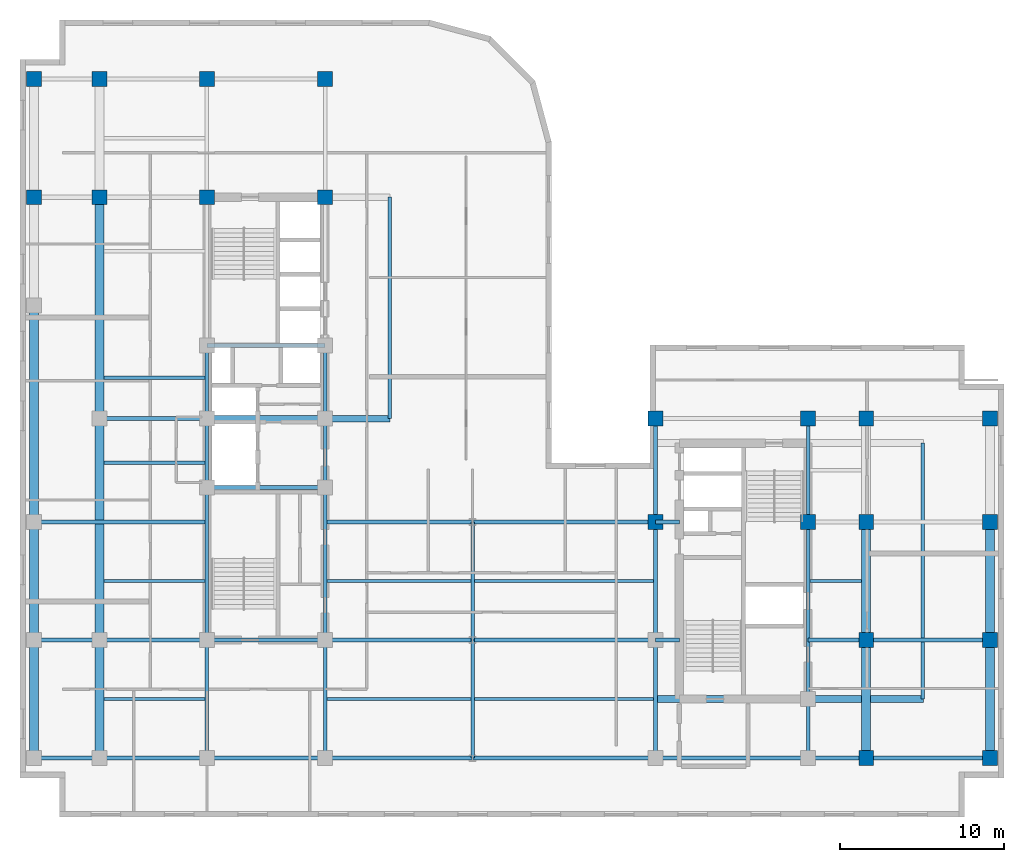
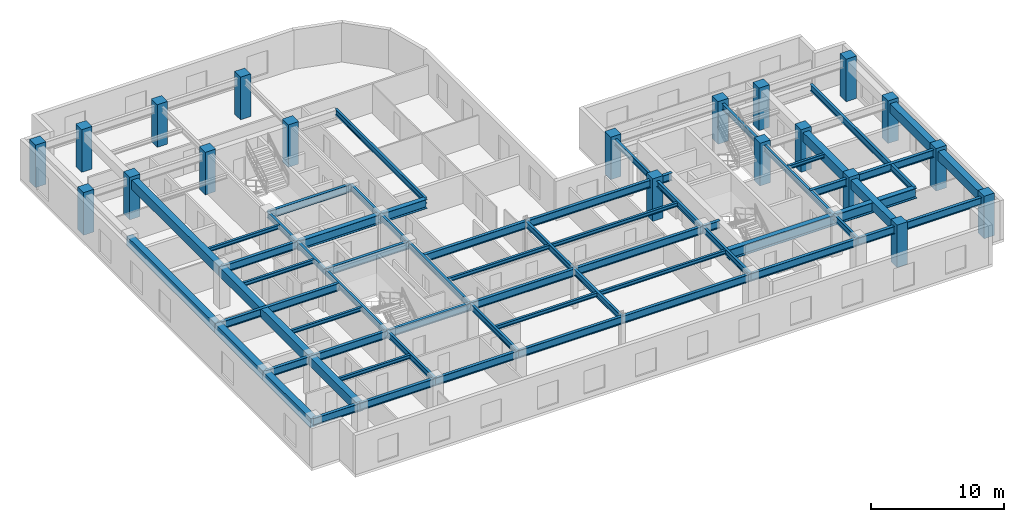
# One storey, part 2 of 11: 62 beams, 20 columns.
"""IFC4 building model written with IfcOpenShell, lengths in metres."""

from ifc_helpers import new_model, entity, si_unit, converted_unit, direction, frame, origin_with_axes, origin_2d_with_axis, place, context, subcontext, project, spatial, rectangle, i_section, extrude, material, material_profile, profile_set, type_object, element, save


model = new_model("IFC4")

# Units and contexts
model_context = context("Model", 3, precision=1e-05, world=origin_with_axes(), true_north=direction((0.0, 1.0)))
body_context = subcontext(model_context, "Body", "Model", "MODEL_VIEW")
ifc_project = project(units=[si_unit("LENGTHUNIT", "METRE"), si_unit("AREAUNIT", "SQUARE_METRE"), si_unit("VOLUMEUNIT", "CUBIC_METRE"), converted_unit("PLANEANGLEUNIT", "DEGREE", entity("IfcPlaneAngleMeasure", 0.017453292519943295), si_unit("PLANEANGLEUNIT", "RADIAN"), dimensions=[0, 0, 0, 0, 0, 0, 0]), si_unit("MASSUNIT", "GRAM", prefix="KILO"), si_unit("THERMODYNAMICTEMPERATUREUNIT", "KELVIN")], contexts=[model_context])

# Site, building, storey
site_placement = place(None, origin_with_axes())
site = spatial("IfcSite", under=ifc_project, at=site_placement, CompositionType="ELEMENT")
building_placement = place(site_placement, origin_with_axes())
building = spatial("IfcBuilding", under=site, at=building_placement, Name="Varnlund Millrace Tower", CompositionType="ELEMENT")
storey_placement = place(building_placement, frame((0.0, 0.0, 216.0), z_axis=(0.0, 0.0, 1.0), x_axis=(1.0, 0.0, 0.0)))
storey = spatial("IfcBuildingStorey", under=building, at=storey_placement, Name="L53", CompositionType="ELEMENT", Elevation=216.0)

# Columns
ifc_material_1 = material(Name="Concrete C70/85", Category="concrete")
ifc_material_profile_1 = material_profile(ifc_material_1, rectangle(XDim=0.9, YDim=0.9, at=origin_2d_with_axis()), Name="Concrete C70/85")
ifc_profile_set_1 = profile_set([ifc_material_profile_1], Name="Concrete C70/85")
column_type = type_object("IfcColumnType", Name="Type-Col-RC900-C70", PredefinedType="COLUMN", material=ifc_profile_set_1)
for number, where, z_axis, x_axis, name in (
    (1, (11.4, 37.8, 0.0), (0.0, 0.0, 1.0), (1.0, 0.0, 0.0), "Type-Col-RC900-C70"),
    (2, (11.4, 45.0, 0.0), (0.0, 0.0, 1.0), (1.0, 0.0, 0.0), "Type-Col-RC900-C70"),
    (3, (18.6, 37.8, 0.0), (0.0, 0.0, 1.0), (1.0, 0.0, 0.0), "Type-Col-RC900-C70"),
    (4, (18.6, 45.0, 0.0), (0.0, 0.0, 1.0), (1.0, 0.0, 0.0), "Type-Col-RC900-C70"),
    (5, (4.85, 37.8, 0.0), (0.0, 0.0, 1.0), (1.0, 0.0, 0.0), "Type-Col-RC900-C70"),
    (6, (4.85, 45.0, 0.0), (0.0, 0.0, 1.0), (1.0, 0.0, 0.0), "Type-Col-RC900-C70"),
    (7, (0.85, 37.8, 0.0), (0.0, 0.0, 1.0), (1.0, 0.0, 0.0), "Type-Col-RC900-C70"),
    (8, (0.85, 45.0, 0.0), (0.0, 0.0, 1.0), (1.0, 0.0, 0.0), "Type-Col-RC900-C70"),
    (9, (38.75, 18.0, 0.0), (0.0, 0.0, 1.0), (1.0, 0.0, 0.0), "Type-Col-RC900-C70"),
    (10, (38.75, 24.3, 0.0), (0.0, 0.0, 1.0), (1.0, 0.0, 0.0), "Type-Col-RC900-C70"),
    (11, (48.05, 18.0, 0.0), (0.0, 0.0, 1.0), (1.0, 0.0, 0.0), "Type-Col-RC900-C70"),
    (12, (48.05, 24.3, 0.0), (0.0, 0.0, 1.0), (1.0, 0.0, 0.0), "Type-Col-RC900-C70"),
    (13, (51.6, 3.6, 0.0), (0.0, 0.0, 1.0), (1.0, 0.0, 0.0), "Type-Col-RC900-C70"),
    (14, (51.6, 10.8, 0.0), (0.0, 0.0, 1.0), (1.0, 0.0, 0.0), "Type-Col-RC900-C70"),
    (15, (51.6, 18.0, 0.0), (0.0, 0.0, 1.0), (1.0, 0.0, 0.0), "Type-Col-RC900-C70"),
    (16, (51.6, 24.3, 0.0), (0.0, 0.0, 1.0), (1.0, 0.0, 0.0), "Type-Col-RC900-C70"),
    (17, (59.15, 3.6, 0.0), (0.0, 0.0, 1.0), (1.0, 0.0, 0.0), "Type-Col-RC900-C70"),
    (18, (59.15, 10.8, 0.0), (0.0, 0.0, 1.0), (1.0, 0.0, 0.0), "Type-Col-RC900-C70"),
    (19, (59.15, 18.0, 0.0), (0.0, 0.0, 1.0), (1.0, 0.0, 0.0), "Type-Col-RC900-C70"),
    (20, (59.15, 24.3, 0.0), (0.0, 0.0, 1.0), (1.0, 0.0, 0.0), "Type-Col-RC900-C70"),
):
    element("IfcColumn", number, at=place(storey_placement, frame(where, z_axis=z_axis, x_axis=x_axis)), inside=storey, type_object=column_type, Name=name, PredefinedType="COLUMN", context=body_context, shape_type="SweptSolid", body=[
        extrude(rectangle(XDim=0.9, YDim=0.9, at=origin_2d_with_axis()), origin_with_axes(), (0.0, 0.0, 1.0), 3.9),
    ])

# Beams
ifc_material_2 = material(Name="Steel ASTM A992 Grade 50", Category="steel")
ifc_material_profile_2 = material_profile(ifc_material_2, i_section(OverallWidth=0.209, OverallDepth=0.533, WebThickness=0.0102, FlangeThickness=0.0156, FilletRadius=0.014, at=origin_2d_with_axis()), Name="Steel ASTM A992 Grade 50")
ifc_profile_set_2 = profile_set([ifc_material_profile_2], Name="Steel ASTM A992 Grade 50")
beam_type_1 = type_object("IfcBeamType", Name="Type-Beam-W21X62", PredefinedType="BEAM", material=ifc_profile_set_2)
beam_1_placement = place(storey_placement, frame((22.55, 24.3, 3.3335), z_axis=(0.0, 1.0, 0.0), x_axis=(-1.0, 0.0, 0.0)))
element("IfcBeam", 21, at=beam_1_placement, inside=storey, type_object=beam_type_1, Name="Type-Beam-W21X62", PredefinedType="BEAM", context=body_context, shape_type="SweptSolid", body=[
    extrude(i_section(OverallWidth=0.209, OverallDepth=0.533, WebThickness=0.0102, FlangeThickness=0.0156, FilletRadius=0.014, at=origin_2d_with_axis()), origin_with_axes(), (0.0, 0.0, 1.0), 13.5),
])
ifc_material_profile_3 = material_profile(ifc_material_2, i_section(OverallWidth=0.214, OverallDepth=0.549, WebThickness=0.0147, FlangeThickness=0.0236, FilletRadius=0.015, at=origin_2d_with_axis()), Name="Steel ASTM A992 Grade 50")
ifc_profile_set_3 = profile_set([ifc_material_profile_3], Name="Steel ASTM A992 Grade 50")
beam_type_2 = type_object("IfcBeamType", Name="Type-Beam-W21X93", PredefinedType="BEAM", material=ifc_profile_set_3)
beam_2_placement = place(storey_placement, frame((11.4, 3.6, 3.3255), z_axis=(0.0, 1.0, 0.0), x_axis=(-1.0, 0.0, 0.0)))
element("IfcBeam", 22, at=beam_2_placement, inside=storey, type_object=beam_type_2, Name="Type-Beam-W21X93", PredefinedType="BEAM", context=body_context, shape_type="SweptSolid", body=[
    extrude(i_section(OverallWidth=0.214, OverallDepth=0.549, WebThickness=0.0147, FlangeThickness=0.0236, FilletRadius=0.015, at=origin_2d_with_axis()), origin_with_axes(), (0.0, 0.0, 1.0), 7.2),
])
beam_3_placement = place(storey_placement, frame((11.4, 10.8, 3.3255), z_axis=(0.0, 1.0, 0.0), x_axis=(-1.0, 0.0, 0.0)))
element("IfcBeam", 23, at=beam_3_placement, inside=storey, type_object=beam_type_2, Name="Type-Beam-W21X93", PredefinedType="BEAM", context=body_context, shape_type="SweptSolid", body=[
    extrude(i_section(OverallWidth=0.214, OverallDepth=0.549, WebThickness=0.0147, FlangeThickness=0.0236, FilletRadius=0.015, at=origin_2d_with_axis()), origin_with_axes(), (0.0, 0.0, 1.0), 9.3),
])
beam_4_placement = place(storey_placement, frame((11.4, 20.1, 3.3255), z_axis=(0.0, 1.0, 0.0), x_axis=(-1.0, 0.0, 0.0)))
element("IfcBeam", 24, at=beam_4_placement, inside=storey, type_object=beam_type_2, Name="Type-Beam-W21X93", PredefinedType="BEAM", context=body_context, shape_type="SweptSolid", body=[
    extrude(i_section(OverallWidth=0.214, OverallDepth=0.549, WebThickness=0.0147, FlangeThickness=0.0236, FilletRadius=0.015, at=origin_2d_with_axis()), origin_with_axes(), (0.0, 0.0, 1.0), 4.2),
])
beam_5_placement = place(storey_placement, frame((11.4, 24.3, 3.3255), z_axis=(0.0, 1.0, 0.0), x_axis=(-1.0, 0.0, 0.0)))
element("IfcBeam", 25, at=beam_5_placement, inside=storey, type_object=beam_type_2, Name="Type-Beam-W21X93", PredefinedType="BEAM", context=body_context, shape_type="SweptSolid", body=[
    extrude(i_section(OverallWidth=0.214, OverallDepth=0.549, WebThickness=0.0147, FlangeThickness=0.0236, FilletRadius=0.015, at=origin_2d_with_axis()), origin_with_axes(), (0.0, 0.0, 1.0), 4.45),
])
beam_6_placement = place(storey_placement, frame((18.6, 3.6, 3.3255), z_axis=(0.0, 1.0, 0.0), x_axis=(-1.0, 0.0, 0.0)))
element("IfcBeam", 26, at=beam_6_placement, inside=storey, type_object=beam_type_2, Name="Type-Beam-W21X93", PredefinedType="BEAM", context=body_context, shape_type="SweptSolid", body=[
    extrude(i_section(OverallWidth=0.214, OverallDepth=0.549, WebThickness=0.0147, FlangeThickness=0.0236, FilletRadius=0.015, at=origin_2d_with_axis()), origin_with_axes(), (0.0, 0.0, 1.0), 7.2),
])
beam_7_placement = place(storey_placement, frame((18.6, 10.8, 3.3255), z_axis=(0.0, 1.0, 0.0), x_axis=(-1.0, 0.0, 0.0)))
element("IfcBeam", 27, at=beam_7_placement, inside=storey, type_object=beam_type_2, Name="Type-Beam-W21X93", PredefinedType="BEAM", context=body_context, shape_type="SweptSolid", body=[
    extrude(i_section(OverallWidth=0.214, OverallDepth=0.549, WebThickness=0.0147, FlangeThickness=0.0236, FilletRadius=0.015, at=origin_2d_with_axis()), origin_with_axes(), (0.0, 0.0, 1.0), 9.3),
])
beam_8_placement = place(storey_placement, frame((18.6, 20.1, 3.3255), z_axis=(0.0, 1.0, 0.0), x_axis=(-1.0, 0.0, 0.0)))
element("IfcBeam", 28, at=beam_8_placement, inside=storey, type_object=beam_type_2, Name="Type-Beam-W21X93", PredefinedType="BEAM", context=body_context, shape_type="SweptSolid", body=[
    extrude(i_section(OverallWidth=0.214, OverallDepth=0.549, WebThickness=0.0147, FlangeThickness=0.0236, FilletRadius=0.015, at=origin_2d_with_axis()), origin_with_axes(), (0.0, 0.0, 1.0), 4.2),
])
beam_9_placement = place(storey_placement, frame((18.6, 24.3, 3.3255), z_axis=(0.0, 1.0, 0.0), x_axis=(-1.0, 0.0, 0.0)))
element("IfcBeam", 29, at=beam_9_placement, inside=storey, type_object=beam_type_2, Name="Type-Beam-W21X93", PredefinedType="BEAM", context=body_context, shape_type="SweptSolid", body=[
    extrude(i_section(OverallWidth=0.214, OverallDepth=0.549, WebThickness=0.0147, FlangeThickness=0.0236, FilletRadius=0.015, at=origin_2d_with_axis()), origin_with_axes(), (0.0, 0.0, 1.0), 4.45),
])
for number, where, z_axis, x_axis, name in (
    (30, (27.6, 3.6, 3.3255), (0.0, 1.0, 0.0), (-1.0, 0.0, 0.0), "Type-Beam-W21X93"),
    (31, (27.6, 10.8, 3.3255), (0.0, 1.0, 0.0), (-1.0, 0.0, 0.0), "Type-Beam-W21X93"),
    (32, (38.75, 3.6, 3.3255), (0.0, 1.0, 0.0), (-1.0, 0.0, 0.0), "Type-Beam-W21X93"),
    (33, (38.75, 10.8, 3.3255), (0.0, 1.0, 0.0), (-1.0, 0.0, 0.0), "Type-Beam-W21X93"),
):
    element("IfcBeam", number, at=place(storey_placement, frame(where, z_axis=z_axis, x_axis=x_axis)), inside=storey, type_object=beam_type_2, Name=name, PredefinedType="BEAM", context=body_context, shape_type="SweptSolid", body=[
        extrude(i_section(OverallWidth=0.214, OverallDepth=0.549, WebThickness=0.0147, FlangeThickness=0.0236, FilletRadius=0.015, at=origin_2d_with_axis()), origin_with_axes(), (0.0, 0.0, 1.0), 7.2),
    ])
beam_10_placement = place(storey_placement, frame((38.75, 18.0, 3.3255), z_axis=(0.0, 1.0, 0.0), x_axis=(-1.0, 0.0, 0.0)))
element("IfcBeam", 34, at=beam_10_placement, inside=storey, type_object=beam_type_2, Name="Type-Beam-W21X93", PredefinedType="BEAM", context=body_context, shape_type="SweptSolid", body=[
    extrude(i_section(OverallWidth=0.214, OverallDepth=0.549, WebThickness=0.0147, FlangeThickness=0.0236, FilletRadius=0.015, at=origin_2d_with_axis()), origin_with_axes(), (0.0, 0.0, 1.0), 6.3),
])
beam_11_placement = place(storey_placement, frame((48.05, 3.6, 3.3255), z_axis=(0.0, 1.0, 0.0), x_axis=(-1.0, 0.0, 0.0)))
element("IfcBeam", 35, at=beam_11_placement, inside=storey, type_object=beam_type_2, Name="Type-Beam-W21X93", PredefinedType="BEAM", context=body_context, shape_type="SweptSolid", body=[
    extrude(i_section(OverallWidth=0.214, OverallDepth=0.549, WebThickness=0.0147, FlangeThickness=0.0236, FilletRadius=0.015, at=origin_2d_with_axis()), origin_with_axes(), (0.0, 0.0, 1.0), 3.6),
])
beam_12_placement = place(storey_placement, frame((48.05, 7.2, 3.3255), z_axis=(0.0, 1.0, 0.0), x_axis=(-1.0, 0.0, 0.0)))
element("IfcBeam", 36, at=beam_12_placement, inside=storey, type_object=beam_type_2, Name="Type-Beam-W21X93", PredefinedType="BEAM", context=body_context, shape_type="SweptSolid", body=[
    extrude(i_section(OverallWidth=0.214, OverallDepth=0.549, WebThickness=0.0147, FlangeThickness=0.0236, FilletRadius=0.015, at=origin_2d_with_axis()), origin_with_axes(), (0.0, 0.0, 1.0), 10.8),
])
beam_13_placement = place(storey_placement, frame((48.05, 18.0, 3.3255), z_axis=(0.0, 1.0, 0.0), x_axis=(-1.0, 0.0, 0.0)))
element("IfcBeam", 37, at=beam_13_placement, inside=storey, type_object=beam_type_2, Name="Type-Beam-W21X93", PredefinedType="BEAM", context=body_context, shape_type="SweptSolid", body=[
    extrude(i_section(OverallWidth=0.214, OverallDepth=0.549, WebThickness=0.0147, FlangeThickness=0.0236, FilletRadius=0.015, at=origin_2d_with_axis()), origin_with_axes(), (0.0, 0.0, 1.0), 6.3),
])
ifc_material_profile_4 = material_profile(ifc_material_2, i_section(OverallWidth=0.228, OverallDepth=0.607, WebThickness=0.0112, FlangeThickness=0.0173, FilletRadius=0.015, at=origin_2d_with_axis()), Name="Steel ASTM A992 Grade 50")
ifc_profile_set_4 = profile_set([ifc_material_profile_4], Name="Steel ASTM A992 Grade 50")
beam_type_3 = type_object("IfcBeamType", Name="Type-Beam-W24X76", PredefinedType="BEAM", material=ifc_profile_set_4)
beam_14_placement = place(storey_placement, frame((55.05, 7.2, 3.2965), z_axis=(0.0, 1.0, 0.0), x_axis=(-1.0, 0.0, 0.0)))
element("IfcBeam", 38, at=beam_14_placement, inside=storey, type_object=beam_type_3, Name="Type-Beam-W24X76", PredefinedType="BEAM", context=body_context, shape_type="SweptSolid", body=[
    extrude(i_section(OverallWidth=0.228, OverallDepth=0.607, WebThickness=0.0112, FlangeThickness=0.0173, FilletRadius=0.015, at=origin_2d_with_axis()), origin_with_axes(), (0.0, 0.0, 1.0), 15.6),
])
ifc_material_profile_5 = material_profile(ifc_material_2, i_section(OverallWidth=0.256, OverallDepth=0.693, WebThickness=0.0145, FlangeThickness=0.0236, FilletRadius=0.018, at=origin_2d_with_axis()), Name="Steel ASTM A992 Grade 50")
ifc_profile_set_5 = profile_set([ifc_material_profile_5], Name="Steel ASTM A992 Grade 50")
beam_type_4 = type_object("IfcBeamType", Name="Type-Girder-W27X114", PredefinedType="USERDEFINED", material=ifc_profile_set_5)
beam_15_placement = place(storey_placement, frame((0.85, 3.6, 3.2535), z_axis=(1.0, 0.0, 0.0), x_axis=(0.0, 1.0, 0.0)))
element("IfcBeam", 39, at=beam_15_placement, inside=storey, type_object=beam_type_4, Name="Type-Girder-W27X114", ObjectType="GIRDER", PredefinedType="USERDEFINED", context=body_context, shape_type="SweptSolid", body=[
    extrude(i_section(OverallWidth=0.256, OverallDepth=0.693, WebThickness=0.0145, FlangeThickness=0.0236, FilletRadius=0.018, at=origin_2d_with_axis()), origin_with_axes(), (0.0, 0.0, 1.0), 4.0),
])
beam_16_placement = place(storey_placement, frame((4.85, 3.6, 3.2535), z_axis=(1.0, 0.0, 0.0), x_axis=(0.0, 1.0, 0.0)))
element("IfcBeam", 40, at=beam_16_placement, inside=storey, type_object=beam_type_4, Name="Type-Girder-W27X114", ObjectType="GIRDER", PredefinedType="USERDEFINED", context=body_context, shape_type="SweptSolid", body=[
    extrude(i_section(OverallWidth=0.256, OverallDepth=0.693, WebThickness=0.0145, FlangeThickness=0.0236, FilletRadius=0.018, at=origin_2d_with_axis()), origin_with_axes(), (0.0, 0.0, 1.0), 6.55),
])
beam_17_placement = place(storey_placement, frame((11.4, 3.6, 3.2535), z_axis=(1.0, 0.0, 0.0), x_axis=(0.0, 1.0, 0.0)))
element("IfcBeam", 41, at=beam_17_placement, inside=storey, type_object=beam_type_4, Name="Type-Girder-W27X114", ObjectType="GIRDER", PredefinedType="USERDEFINED", context=body_context, shape_type="SweptSolid", body=[
    extrude(i_section(OverallWidth=0.256, OverallDepth=0.693, WebThickness=0.0145, FlangeThickness=0.0236, FilletRadius=0.018, at=origin_2d_with_axis()), origin_with_axes(), (0.0, 0.0, 1.0), 7.2),
])
beam_18_placement = place(storey_placement, frame((18.6, 3.6, 3.2535), z_axis=(1.0, 0.0, 0.0), x_axis=(0.0, 1.0, 0.0)))
element("IfcBeam", 42, at=beam_18_placement, inside=storey, type_object=beam_type_4, Name="Type-Girder-W27X114", ObjectType="GIRDER", PredefinedType="USERDEFINED", context=body_context, shape_type="SweptSolid", body=[
    extrude(i_section(OverallWidth=0.256, OverallDepth=0.693, WebThickness=0.0145, FlangeThickness=0.0236, FilletRadius=0.018, at=origin_2d_with_axis()), origin_with_axes(), (0.0, 0.0, 1.0), 9.0),
])
beam_19_placement = place(storey_placement, frame((27.6, 3.6, 3.2535), z_axis=(1.0, 0.0, 0.0), x_axis=(0.0, 1.0, 0.0)))
element("IfcBeam", 43, at=beam_19_placement, inside=storey, type_object=beam_type_4, Name="Type-Girder-W27X114", ObjectType="GIRDER", PredefinedType="USERDEFINED", context=body_context, shape_type="SweptSolid", body=[
    extrude(i_section(OverallWidth=0.256, OverallDepth=0.693, WebThickness=0.0145, FlangeThickness=0.0236, FilletRadius=0.018, at=origin_2d_with_axis()), origin_with_axes(), (0.0, 0.0, 1.0), 11.15),
])
beam_20_placement = place(storey_placement, frame((38.75, 3.6, 3.2535), z_axis=(1.0, 0.0, 0.0), x_axis=(0.0, 1.0, 0.0)))
element("IfcBeam", 44, at=beam_20_placement, inside=storey, type_object=beam_type_4, Name="Type-Girder-W27X114", ObjectType="GIRDER", PredefinedType="USERDEFINED", context=body_context, shape_type="SweptSolid", body=[
    extrude(i_section(OverallWidth=0.256, OverallDepth=0.693, WebThickness=0.0145, FlangeThickness=0.0236, FilletRadius=0.018, at=origin_2d_with_axis()), origin_with_axes(), (0.0, 0.0, 1.0), 9.3),
])
beam_21_placement = place(storey_placement, frame((48.05, 3.6, 3.2535), z_axis=(1.0, 0.0, 0.0), x_axis=(0.0, 1.0, 0.0)))
element("IfcBeam", 45, at=beam_21_placement, inside=storey, type_object=beam_type_4, Name="Type-Girder-W27X114", ObjectType="GIRDER", PredefinedType="USERDEFINED", context=body_context, shape_type="SweptSolid", body=[
    extrude(i_section(OverallWidth=0.256, OverallDepth=0.693, WebThickness=0.0145, FlangeThickness=0.0236, FilletRadius=0.018, at=origin_2d_with_axis()), origin_with_axes(), (0.0, 0.0, 1.0), 3.55),
])
beam_22_placement = place(storey_placement, frame((51.6, 3.6, 3.2535), z_axis=(1.0, 0.0, 0.0), x_axis=(0.0, 1.0, 0.0)))
element("IfcBeam", 46, at=beam_22_placement, inside=storey, type_object=beam_type_4, Name="Type-Girder-W27X114", ObjectType="GIRDER", PredefinedType="USERDEFINED", context=body_context, shape_type="SweptSolid", body=[
    extrude(i_section(OverallWidth=0.256, OverallDepth=0.693, WebThickness=0.0145, FlangeThickness=0.0236, FilletRadius=0.018, at=origin_2d_with_axis()), origin_with_axes(), (0.0, 0.0, 1.0), 7.55),
])
beam_23_placement = place(storey_placement, frame((0.85, 10.8, 3.2535), z_axis=(1.0, 0.0, 0.0), x_axis=(0.0, 1.0, 0.0)))
element("IfcBeam", 47, at=beam_23_placement, inside=storey, type_object=beam_type_4, Name="Type-Girder-W27X114", ObjectType="GIRDER", PredefinedType="USERDEFINED", context=body_context, shape_type="SweptSolid", body=[
    extrude(i_section(OverallWidth=0.256, OverallDepth=0.693, WebThickness=0.0145, FlangeThickness=0.0236, FilletRadius=0.018, at=origin_2d_with_axis()), origin_with_axes(), (0.0, 0.0, 1.0), 4.0),
])
beam_24_placement = place(storey_placement, frame((4.85, 10.8, 3.2535), z_axis=(1.0, 0.0, 0.0), x_axis=(0.0, 1.0, 0.0)))
element("IfcBeam", 48, at=beam_24_placement, inside=storey, type_object=beam_type_4, Name="Type-Girder-W27X114", ObjectType="GIRDER", PredefinedType="USERDEFINED", context=body_context, shape_type="SweptSolid", body=[
    extrude(i_section(OverallWidth=0.256, OverallDepth=0.693, WebThickness=0.0145, FlangeThickness=0.0236, FilletRadius=0.018, at=origin_2d_with_axis()), origin_with_axes(), (0.0, 0.0, 1.0), 6.55),
])
beam_25_placement = place(storey_placement, frame((11.4, 10.8, 3.2535), z_axis=(1.0, 0.0, 0.0), x_axis=(0.0, 1.0, 0.0)))
element("IfcBeam", 49, at=beam_25_placement, inside=storey, type_object=beam_type_4, Name="Type-Girder-W27X114", ObjectType="GIRDER", PredefinedType="USERDEFINED", context=body_context, shape_type="SweptSolid", body=[
    extrude(i_section(OverallWidth=0.256, OverallDepth=0.693, WebThickness=0.0145, FlangeThickness=0.0236, FilletRadius=0.018, at=origin_2d_with_axis()), origin_with_axes(), (0.0, 0.0, 1.0), 7.2),
])
beam_26_placement = place(storey_placement, frame((18.6, 10.8, 3.2535), z_axis=(1.0, 0.0, 0.0), x_axis=(0.0, 1.0, 0.0)))
element("IfcBeam", 50, at=beam_26_placement, inside=storey, type_object=beam_type_4, Name="Type-Girder-W27X114", ObjectType="GIRDER", PredefinedType="USERDEFINED", context=body_context, shape_type="SweptSolid", body=[
    extrude(i_section(OverallWidth=0.256, OverallDepth=0.693, WebThickness=0.0145, FlangeThickness=0.0236, FilletRadius=0.018, at=origin_2d_with_axis()), origin_with_axes(), (0.0, 0.0, 1.0), 9.0),
])
beam_27_placement = place(storey_placement, frame((27.6, 10.8, 3.2535), z_axis=(1.0, 0.0, 0.0), x_axis=(0.0, 1.0, 0.0)))
element("IfcBeam", 51, at=beam_27_placement, inside=storey, type_object=beam_type_4, Name="Type-Girder-W27X114", ObjectType="GIRDER", PredefinedType="USERDEFINED", context=body_context, shape_type="SweptSolid", body=[
    extrude(i_section(OverallWidth=0.256, OverallDepth=0.693, WebThickness=0.0145, FlangeThickness=0.0236, FilletRadius=0.018, at=origin_2d_with_axis()), origin_with_axes(), (0.0, 0.0, 1.0), 11.15),
])
beam_28_placement = place(storey_placement, frame((38.75, 10.8, 3.2535), z_axis=(1.0, 0.0, 0.0), x_axis=(0.0, 1.0, 0.0)))
element("IfcBeam", 52, at=beam_28_placement, inside=storey, type_object=beam_type_4, Name="Type-Girder-W27X114", ObjectType="GIRDER", PredefinedType="USERDEFINED", context=body_context, shape_type="SweptSolid", body=[
    extrude(i_section(OverallWidth=0.256, OverallDepth=0.693, WebThickness=0.0145, FlangeThickness=0.0236, FilletRadius=0.018, at=origin_2d_with_axis()), origin_with_axes(), (0.0, 0.0, 1.0), 1.45),
])
beam_29_placement = place(storey_placement, frame((48.05, 10.8, 3.2535), z_axis=(1.0, 0.0, 0.0), x_axis=(0.0, 1.0, 0.0)))
element("IfcBeam", 53, at=beam_29_placement, inside=storey, type_object=beam_type_4, Name="Type-Girder-W27X114", ObjectType="GIRDER", PredefinedType="USERDEFINED", context=body_context, shape_type="SweptSolid", body=[
    extrude(i_section(OverallWidth=0.256, OverallDepth=0.693, WebThickness=0.0145, FlangeThickness=0.0236, FilletRadius=0.018, at=origin_2d_with_axis()), origin_with_axes(), (0.0, 0.0, 1.0), 3.55),
])
beam_30_placement = place(storey_placement, frame((51.6, 10.8, 3.2535), z_axis=(1.0, 0.0, 0.0), x_axis=(0.0, 1.0, 0.0)))
element("IfcBeam", 54, at=beam_30_placement, inside=storey, type_object=beam_type_4, Name="Type-Girder-W27X114", ObjectType="GIRDER", PredefinedType="USERDEFINED", context=body_context, shape_type="SweptSolid", body=[
    extrude(i_section(OverallWidth=0.256, OverallDepth=0.693, WebThickness=0.0145, FlangeThickness=0.0236, FilletRadius=0.018, at=origin_2d_with_axis()), origin_with_axes(), (0.0, 0.0, 1.0), 7.55),
])
beam_31_placement = place(storey_placement, frame((0.85, 18.0, 3.2535), z_axis=(1.0, 0.0, 0.0), x_axis=(0.0, 1.0, 0.0)))
element("IfcBeam", 55, at=beam_31_placement, inside=storey, type_object=beam_type_4, Name="Type-Girder-W27X114", ObjectType="GIRDER", PredefinedType="USERDEFINED", context=body_context, shape_type="SweptSolid", body=[
    extrude(i_section(OverallWidth=0.256, OverallDepth=0.693, WebThickness=0.0145, FlangeThickness=0.0236, FilletRadius=0.018, at=origin_2d_with_axis()), origin_with_axes(), (0.0, 0.0, 1.0), 10.55),
])
beam_32_placement = place(storey_placement, frame((18.6, 18.0, 3.2535), z_axis=(1.0, 0.0, 0.0), x_axis=(0.0, 1.0, 0.0)))
element("IfcBeam", 56, at=beam_32_placement, inside=storey, type_object=beam_type_4, Name="Type-Girder-W27X114", ObjectType="GIRDER", PredefinedType="USERDEFINED", context=body_context, shape_type="SweptSolid", body=[
    extrude(i_section(OverallWidth=0.256, OverallDepth=0.693, WebThickness=0.0145, FlangeThickness=0.0236, FilletRadius=0.018, at=origin_2d_with_axis()), origin_with_axes(), (0.0, 0.0, 1.0), 9.0),
])
beam_33_placement = place(storey_placement, frame((27.6, 18.0, 3.2535), z_axis=(1.0, 0.0, 0.0), x_axis=(0.0, 1.0, 0.0)))
element("IfcBeam", 57, at=beam_33_placement, inside=storey, type_object=beam_type_4, Name="Type-Girder-W27X114", ObjectType="GIRDER", PredefinedType="USERDEFINED", context=body_context, shape_type="SweptSolid", body=[
    extrude(i_section(OverallWidth=0.256, OverallDepth=0.693, WebThickness=0.0145, FlangeThickness=0.0236, FilletRadius=0.018, at=origin_2d_with_axis()), origin_with_axes(), (0.0, 0.0, 1.0), 11.15),
])
beam_34_placement = place(storey_placement, frame((38.75, 18.0, 3.2535), z_axis=(1.0, 0.0, 0.0), x_axis=(0.0, 1.0, 0.0)))
element("IfcBeam", 58, at=beam_34_placement, inside=storey, type_object=beam_type_4, Name="Type-Girder-W27X114", ObjectType="GIRDER", PredefinedType="USERDEFINED", context=body_context, shape_type="SweptSolid", body=[
    extrude(i_section(OverallWidth=0.256, OverallDepth=0.693, WebThickness=0.0145, FlangeThickness=0.0236, FilletRadius=0.018, at=origin_2d_with_axis()), origin_with_axes(), (0.0, 0.0, 1.0), 1.45),
])
beam_35_placement = place(storey_placement, frame((11.4, 20.1, 3.2535), z_axis=(1.0, 0.0, 0.0), x_axis=(0.0, 1.0, 0.0)))
element("IfcBeam", 59, at=beam_35_placement, inside=storey, type_object=beam_type_4, Name="Type-Girder-W27X114", ObjectType="GIRDER", PredefinedType="USERDEFINED", context=body_context, shape_type="SweptSolid", body=[
    extrude(i_section(OverallWidth=0.256, OverallDepth=0.693, WebThickness=0.0145, FlangeThickness=0.0236, FilletRadius=0.018, at=origin_2d_with_axis()), origin_with_axes(), (0.0, 0.0, 1.0), 7.2),
])
beam_36_placement = place(storey_placement, frame((4.85, 24.3, 3.2535), z_axis=(1.0, 0.0, 0.0), x_axis=(0.0, 1.0, 0.0)))
element("IfcBeam", 60, at=beam_36_placement, inside=storey, type_object=beam_type_4, Name="Type-Girder-W27X114", ObjectType="GIRDER", PredefinedType="USERDEFINED", context=body_context, shape_type="SweptSolid", body=[
    extrude(i_section(OverallWidth=0.256, OverallDepth=0.693, WebThickness=0.0145, FlangeThickness=0.0236, FilletRadius=0.018, at=origin_2d_with_axis()), origin_with_axes(), (0.0, 0.0, 1.0), 6.55),
])
beam_37_placement = place(storey_placement, frame((11.4, 28.75, 3.2535), z_axis=(1.0, 0.0, 0.0), x_axis=(0.0, 1.0, 0.0)))
element("IfcBeam", 61, at=beam_37_placement, inside=storey, type_object=beam_type_4, Name="Type-Girder-W27X114", ObjectType="GIRDER", PredefinedType="USERDEFINED", context=body_context, shape_type="SweptSolid", body=[
    extrude(i_section(OverallWidth=0.256, OverallDepth=0.693, WebThickness=0.0145, FlangeThickness=0.0236, FilletRadius=0.018, at=origin_2d_with_axis()), origin_with_axes(), (0.0, 0.0, 1.0), 7.2),
])
ifc_material_profile_6 = material_profile(ifc_material_2, i_section(OverallWidth=0.399, OverallDepth=0.855, WebThickness=0.0182, FlangeThickness=0.0292, FilletRadius=0.022, at=origin_2d_with_axis()), Name="Steel ASTM A992 Grade 50")
ifc_profile_set_6 = profile_set([ifc_material_profile_6], Name="Steel ASTM A992 Grade 50")
beam_type_5 = type_object("IfcBeamType", Name="Type-Girder-W33X201", PredefinedType="USERDEFINED", material=ifc_profile_set_6)
beam_38_placement = place(storey_placement, frame((11.4, 24.3, 3.1725), z_axis=(1.0, 0.0, 0.0), x_axis=(0.0, 1.0, 0.0)))
element("IfcBeam", 62, at=beam_38_placement, inside=storey, type_object=beam_type_5, Name="Type-Girder-W33X201", ObjectType="GIRDER", PredefinedType="USERDEFINED", context=body_context, shape_type="SweptSolid", body=[
    extrude(i_section(OverallWidth=0.399, OverallDepth=0.855, WebThickness=0.0182, FlangeThickness=0.0292, FilletRadius=0.022, at=origin_2d_with_axis()), origin_with_axes(), (0.0, 0.0, 1.0), 11.15),
])
ifc_material_3 = material(Name="Steel ASTM A913 Grade 65", Category="steel")
ifc_material_profile_7 = material_profile(ifc_material_3, i_section(OverallWidth=0.423, OverallDepth=0.948, WebThickness=0.024, FlangeThickness=0.0427, FilletRadius=0.025, at=origin_2d_with_axis()), Name="Steel ASTM A913 Grade 65")
ifc_profile_set_7 = profile_set([ifc_material_profile_7], Name="Steel ASTM A913 Grade 65")
beam_type_6 = type_object("IfcBeamType", Name="Type-Girder-W36X302", PredefinedType="USERDEFINED", material=ifc_profile_set_7)
beam_39_placement = place(storey_placement, frame((38.857, 7.2, 3.126), z_axis=(1.0, 0.0, 0.0), x_axis=(0.0, 1.0, 0.0)))
element("IfcBeam", 63, at=beam_39_placement, inside=storey, type_object=beam_type_6, Name="Type-Girder-W36X302", ObjectType="GIRDER", PredefinedType="USERDEFINED", context=body_context, shape_type="SweptSolid", body=[
    extrude(i_section(OverallWidth=0.423, OverallDepth=0.948, WebThickness=0.024, FlangeThickness=0.0427, FilletRadius=0.025, at=origin_2d_with_axis()), origin_with_axes(), (0.0, 0.0, 1.0), 16.243),
])
ifc_material_profile_8 = material_profile(ifc_material_2, i_section(OverallWidth=0.204, OverallDepth=0.35, WebThickness=0.0086, FlangeThickness=0.0151, FilletRadius=0.013, at=origin_2d_with_axis()), Name="Steel ASTM A992 Grade 50")
ifc_profile_set_8 = profile_set([ifc_material_profile_8], Name="Steel ASTM A992 Grade 50")
beam_type_7 = type_object("IfcBeamType", Name="Type-Joist-W14X48", PredefinedType="JOIST", material=ifc_profile_set_8)
for number, where, z_axis, x_axis, name in (
    (64, (5.125, 7.2, 3.425), (1.0, 0.0, 0.0), (0.0, 1.0, 0.0), "Type-Joist-W14X48"),
    (65, (5.125, 14.4, 3.425), (1.0, 0.0, 0.0), (0.0, 1.0, 0.0), "Type-Joist-W14X48"),
    (66, (5.125, 21.6, 3.425), (1.0, 0.0, 0.0), (0.0, 1.0, 0.0), "Type-Joist-W14X48"),
    (67, (5.125, 26.8, 3.425), (1.0, 0.0, 0.0), (0.0, 1.0, 0.0), "Type-Joist-W14X48"),
):
    element("IfcBeam", number, at=place(storey_placement, frame(where, z_axis=z_axis, x_axis=x_axis)), inside=storey, type_object=beam_type_7, Name=name, PredefinedType="JOIST", context=body_context, shape_type="SweptSolid", body=[
        extrude(i_section(OverallWidth=0.204, OverallDepth=0.35, WebThickness=0.0086, FlangeThickness=0.0151, FilletRadius=0.013, at=origin_2d_with_axis()), origin_with_axes(), (0.0, 0.0, 1.0), 6.168),
    ])
beam_40_placement = place(storey_placement, frame((48.157, 14.4, 3.425), z_axis=(1.0, 0.0, 0.0), x_axis=(0.0, 1.0, 0.0)))
element("IfcBeam", 68, at=beam_40_placement, inside=storey, type_object=beam_type_7, Name="Type-Joist-W14X48", PredefinedType="JOIST", context=body_context, shape_type="SweptSolid", body=[
    extrude(i_section(OverallWidth=0.204, OverallDepth=0.35, WebThickness=0.0086, FlangeThickness=0.0151, FilletRadius=0.013, at=origin_2d_with_axis()), origin_with_axes(), (0.0, 0.0, 1.0), 3.168),
])
for number, where, z_axis, x_axis, name in (
    (69, (18.707, 7.2, 3.425), (1.0, 0.0, 0.0), (0.0, 1.0, 0.0), "Type-Joist-W14X48"),
    (70, (18.707, 14.4, 3.425), (1.0, 0.0, 0.0), (0.0, 1.0, 0.0), "Type-Joist-W14X48"),
):
    element("IfcBeam", number, at=place(storey_placement, frame(where, z_axis=z_axis, x_axis=x_axis)), inside=storey, type_object=beam_type_7, Name=name, PredefinedType="JOIST", context=body_context, shape_type="SweptSolid", body=[
        extrude(i_section(OverallWidth=0.204, OverallDepth=0.35, WebThickness=0.0086, FlangeThickness=0.0151, FilletRadius=0.013, at=origin_2d_with_axis()), origin_with_axes(), (0.0, 0.0, 1.0), 8.786),
    ])
for number, where, z_axis, x_axis, name in (
    (71, (27.707, 7.2, 3.425), (1.0, 0.0, 0.0), (0.0, 1.0, 0.0), "Type-Joist-W14X48"),
    (72, (27.707, 14.4, 3.425), (1.0, 0.0, 0.0), (0.0, 1.0, 0.0), "Type-Joist-W14X48"),
):
    element("IfcBeam", number, at=place(storey_placement, frame(where, z_axis=z_axis, x_axis=x_axis)), inside=storey, type_object=beam_type_7, Name=name, PredefinedType="JOIST", context=body_context, shape_type="SweptSolid", body=[
        extrude(i_section(OverallWidth=0.204, OverallDepth=0.35, WebThickness=0.0086, FlangeThickness=0.0151, FilletRadius=0.013, at=origin_2d_with_axis()), origin_with_axes(), (0.0, 0.0, 1.0), 10.936),
    ])
ifc_material_4 = material(Name="Concrete C60/75", Category="concrete")
ifc_material_profile_9 = material_profile(ifc_material_4, rectangle(XDim=0.55, YDim=0.85, at=origin_2d_with_axis()), Name="Concrete C60/75")
ifc_profile_set_9 = profile_set([ifc_material_profile_9], Name="Concrete C60/75")
beam_type_8 = type_object("IfcBeamType", Name="Type-Spandrel-RC550X850", PredefinedType="SPANDREL", material=ifc_profile_set_9)
for number, where, z_axis, x_axis, name in (
    (73, (0.85, 3.6, 3.175), (0.0, 1.0, 0.0), (-1.0, 0.0, 0.0), "Type-Spandrel-RC550X850"),
    (74, (0.85, 10.8, 3.175), (0.0, 1.0, 0.0), (-1.0, 0.0, 0.0), "Type-Spandrel-RC550X850"),
):
    element("IfcBeam", number, at=place(storey_placement, frame(where, z_axis=z_axis, x_axis=x_axis)), inside=storey, type_object=beam_type_8, Name=name, PredefinedType="SPANDREL", context=body_context, shape_type="SweptSolid", body=[
        extrude(rectangle(XDim=0.55, YDim=0.85, at=origin_2d_with_axis()), origin_with_axes(), (0.0, 0.0, 1.0), 7.2),
    ])
beam_41_placement = place(storey_placement, frame((0.85, 18.0, 3.175), z_axis=(0.0, 1.0, 0.0), x_axis=(-1.0, 0.0, 0.0)))
element("IfcBeam", 75, at=beam_41_placement, inside=storey, type_object=beam_type_8, Name="Type-Spandrel-RC550X850", PredefinedType="SPANDREL", context=body_context, shape_type="SweptSolid", body=[
    extrude(rectangle(XDim=0.55, YDim=0.85, at=origin_2d_with_axis()), origin_with_axes(), (0.0, 0.0, 1.0), 13.2),
])
beam_42_placement = place(storey_placement, frame((4.85, 3.6, 3.175), z_axis=(0.0, 1.0, 0.0), x_axis=(-1.0, 0.0, 0.0)))
element("IfcBeam", 76, at=beam_42_placement, inside=storey, type_object=beam_type_8, Name="Type-Spandrel-RC550X850", PredefinedType="SPANDREL", context=body_context, shape_type="SweptSolid", body=[
    extrude(rectangle(XDim=0.55, YDim=0.85, at=origin_2d_with_axis()), origin_with_axes(), (0.0, 0.0, 1.0), 7.2),
])
for number, where, z_axis, x_axis, name in (
    (77, (4.85, 10.8, 3.175), (0.0, 1.0, 0.0), (-1.0, 0.0, 0.0), "Type-Spandrel-RC550X850"),
    (78, (4.85, 24.3, 3.175), (0.0, 1.0, 0.0), (-1.0, 0.0, 0.0), "Type-Spandrel-RC550X850"),
):
    element("IfcBeam", number, at=place(storey_placement, frame(where, z_axis=z_axis, x_axis=x_axis)), inside=storey, type_object=beam_type_8, Name=name, PredefinedType="SPANDREL", context=body_context, shape_type="SweptSolid", body=[
        extrude(rectangle(XDim=0.55, YDim=0.85, at=origin_2d_with_axis()), origin_with_axes(), (0.0, 0.0, 1.0), 13.5),
    ])
for number, where, z_axis, x_axis, name in (
    (79, (51.6, 3.6, 3.175), (0.0, 1.0, 0.0), (-1.0, 0.0, 0.0), "Type-Spandrel-RC550X850"),
    (80, (51.6, 10.8, 3.175), (0.0, 1.0, 0.0), (-1.0, 0.0, 0.0), "Type-Spandrel-RC550X850"),
    (81, (59.15, 3.6, 3.175), (0.0, 1.0, 0.0), (-1.0, 0.0, 0.0), "Type-Spandrel-RC550X850"),
    (82, (59.15, 10.8, 3.175), (0.0, 1.0, 0.0), (-1.0, 0.0, 0.0), "Type-Spandrel-RC550X850"),
):
    element("IfcBeam", number, at=place(storey_placement, frame(where, z_axis=z_axis, x_axis=x_axis)), inside=storey, type_object=beam_type_8, Name=name, PredefinedType="SPANDREL", context=body_context, shape_type="SweptSolid", body=[
        extrude(rectangle(XDim=0.55, YDim=0.85, at=origin_2d_with_axis()), origin_with_axes(), (0.0, 0.0, 1.0), 7.2),
    ])

save(model, "model.ifc")
